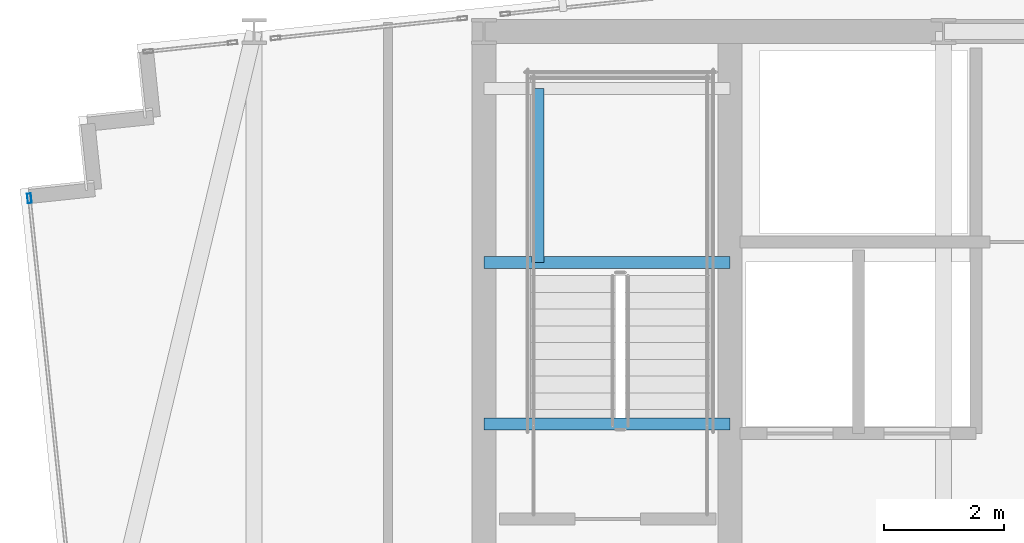
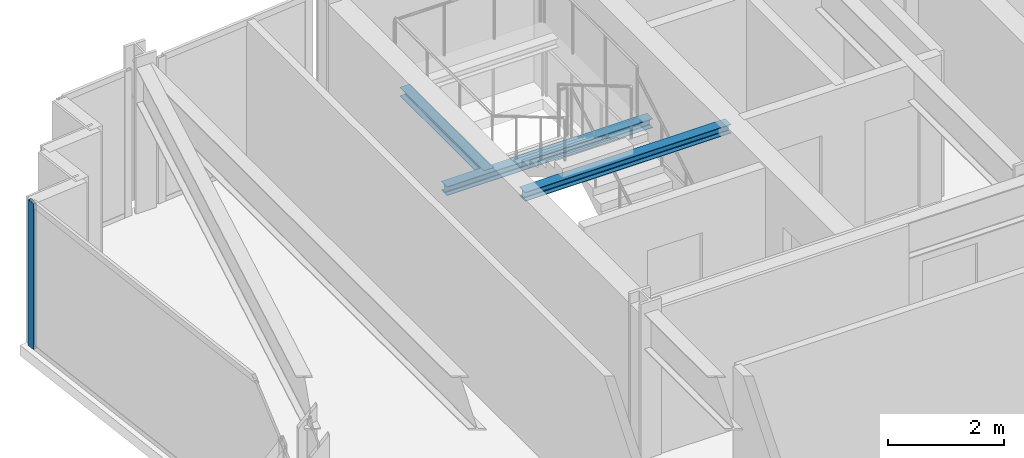
# One storey, part 12 of 33: 3 beams, 1 member, 1 element without a shape of its own.
"""IFC4 building model written with IfcOpenShell, lengths in metres."""

import ifcopenshell
import ifcopenshell.guid

model = None  # the IFC model being written
_history = None  # IfcOwnerHistory: only IFC2X3 demands one
_inside = {}  # id of a spatial element -> (the spatial element, [elements in it])
_under = {}  # id of a project, library or spatial element -> (it, [spatial elements below it])
_declared = {}  # id of a project -> (the project, [libraries it declares])
_typed = {}  # id of a type object -> (the type object, [elements of that type])
_made_of = {}  # id of a material, layer set ... -> (it, [elements and type objects made of it])


def new_model(schema):
    """Start an empty IFC model of exactly this schema.

    Asked for "IFC4X3", IfcOpenShell would pick the latest addendum, in which some entities
    have other attributes; the version numbers below select the first issue.
    IFC2X3 requires an IfcOwnerHistory on every rooted entity: one is made here for all.
    """
    global model, _history
    if schema == "IFC4X3":
        model = ifcopenshell.file(schema_version=(4, 3, 0, 0))
    else:
        model = ifcopenshell.file(schema=schema)
    _inside.clear()
    _under.clear()
    _declared.clear()
    _typed.clear()
    _made_of.clear()
    _history = None
    if model.schema == "IFC2X3":
        org = make("IfcOrganization", Name="unknown")
        user = make(
            "IfcPersonAndOrganization",
            ThePerson=make("IfcPerson", FamilyName="unknown"),
            TheOrganization=org,
        )
        app = make(
            "IfcApplication",
            ApplicationDeveloper=org,
            Version="unknown",
            ApplicationFullName="unknown",
            ApplicationIdentifier="unknown",
        )
        _history = make(
            "IfcOwnerHistory",
            OwningUser=user,
            OwningApplication=app,
            ChangeAction="ADDED",
            CreationDate=0,
        )
    return model


def make(cls, **values):
    """One entity of the class cls with the attributes given. An attribute that is None is left unset."""
    return model.create_entity(
        cls, **{name: value for name, value in values.items() if value is not None}
    )


def rooted(cls, **values):
    """An entity with a GlobalId (a new one), such as an element, a storey or a relation."""
    return make(cls, GlobalId=ifcopenshell.guid.new(), OwnerHistory=_history, **values)


def si_unit(unit_type, name, prefix=None):
    """IfcSIUnit, for example si_unit("LENGTHUNIT", "METRE", prefix="MILLI")."""
    return make("IfcSIUnit", UnitType=unit_type, Prefix=prefix, Name=name)


def assignment(units):
    """IfcUnitAssignment: the units of a project."""
    return None if units is None else make("IfcUnitAssignment", Units=units)


def point(xyz):
    """IfcCartesianPoint."""
    return None if xyz is None else make("IfcCartesianPoint", Coordinates=xyz)


def direction(xyz):
    """IfcDirection."""
    return None if xyz is None else make("IfcDirection", DirectionRatios=xyz)


def frame(location, z_axis=None, x_axis=None):
    """IfcAxis2Placement3D, a coordinate frame: its origin and axes. An axis left out is left unset."""
    return make(
        "IfcAxis2Placement3D",
        Location=point(location),
        Axis=direction(z_axis),
        RefDirection=direction(x_axis),
    )


def frame_2d(location, x_axis=None):
    """IfcAxis2Placement2D, a coordinate frame in the plane: its origin and x axis."""
    return make(
        "IfcAxis2Placement2D", Location=point(location), RefDirection=direction(x_axis)
    )


def origin():
    """The frame at (0, 0, 0) with its axes left unset."""
    return frame((0.0, 0.0, 0.0))


def origin_2d():
    """The frame at (0, 0) in the plane with its x axis left unset."""
    return frame_2d((0.0, 0.0))


def place(relative_to, where):
    """IfcLocalPlacement: puts the frame where relative to a parent placement (None: the world)."""
    return make(
        "IfcLocalPlacement", PlacementRelTo=relative_to, RelativePlacement=where
    )


def context(
    kind, dimensions, precision=None, world=None, true_north=None, identifier=None
):
    """IfcGeometricRepresentationContext, for example the 3D "Model" context."""
    return make(
        "IfcGeometricRepresentationContext",
        ContextIdentifier=identifier,
        ContextType=kind,
        CoordinateSpaceDimension=dimensions,
        Precision=precision,
        WorldCoordinateSystem=world,
        TrueNorth=true_north,
    )


def subcontext(parent, identifier, kind, view, scale=None):
    """IfcGeometricRepresentationSubContext, for example "Body" below "Model"."""
    return make(
        "IfcGeometricRepresentationSubContext",
        ContextIdentifier=identifier,
        ContextType=kind,
        ParentContext=parent,
        TargetScale=scale,
        TargetView=view,
    )


def project(units=None, contexts=None):
    """IfcProject with its units and contexts."""
    return rooted(
        "IfcProject",
        Name="project",
        RepresentationContexts=contexts,
        UnitsInContext=assignment(units),
    )


def spatial(cls, under=None, at=None, **own):
    """A site, building, storey or space (cls), placed at a placement, below another one or the project."""
    s = rooted(cls, ObjectPlacement=at, **own)
    if under is not None:
        _under.setdefault(under.id(), (under, []))[1].append(s)
    return s


def profile(cls, at=None, kind="AREA", **sizes):
    """A parametric profile (cls). Its sizes go by their IFC names, for example OverallWidth=200.0."""
    return make(cls, ProfileType=kind, Position=at, **sizes)


def hollow_rectangle(**sizes):
    """IfcRectangleHollowProfileDef."""
    return profile("IfcRectangleHollowProfileDef", **sizes)


def i_section(**sizes):
    """IfcIShapeProfileDef."""
    return profile("IfcIShapeProfileDef", **sizes)


def extrude(swept, where, along, depth):
    """IfcExtrudedAreaSolid: the profile swept, set in the frame where, extruded along a direction by depth."""
    return make(
        "IfcExtrudedAreaSolid",
        SweptArea=swept,
        Position=where,
        ExtrudedDirection=direction(along),
        Depth=depth,
    )


def shape(context_of_items, identifier, shape_type, items):
    """IfcShapeRepresentation: the items that make up one representation, for example the "Body"."""
    return make(
        "IfcShapeRepresentation",
        ContextOfItems=context_of_items,
        RepresentationIdentifier=identifier,
        RepresentationType=shape_type,
        Items=items,
    )


def material(Name=None, Category=None):
    """IfcMaterial."""
    return make("IfcMaterial", Name=Name, Category=Category)


def material_profile(
    of_material, cross_section, Name=None, Category=None, Priority=None
):
    """IfcMaterialProfile: a cross section and its material."""
    return make(
        "IfcMaterialProfile",
        Name=Name,
        Material=of_material,
        Profile=cross_section,
        Priority=Priority,
        Category=Category,
    )


def profile_set(profiles, Name=None, composite=None):
    """IfcMaterialProfileSet."""
    return make(
        "IfcMaterialProfileSet",
        Name=Name,
        MaterialProfiles=profiles,
        CompositeProfile=composite,
    )


def made_of(thing, what):
    """Note that an element or type object is made of a material, layer set ...; save() writes the relation."""
    if what is not None:
        _made_of.setdefault(what.id(), (what, []))[1].append(thing)
    return thing


def type_object(cls, material=None, **own):
    """A type object (cls), such as IfcWallType, which elements share."""
    return made_of(rooted(cls, **own), material)


def element(
    cls,
    number,
    at=None,
    inside=None,
    cuts=None,
    type_object=None,
    material=None,
    context=None,
    identifier="Body",
    shape_type=None,
    held_by="IfcProductDefinitionShape",
    body=None,
    shapes=None,
    **own,
):
    """One element of the class cls, such as IfcWall. Its Tag is "e" and its number.

    at: its placement. inside: the storey or other place that contains it. cuts: it is an
    opening in that element (IfcRelVoidsElement). A single representation is given by context,
    identifier, shape_type and body (its items); several are given by shapes. held_by: the class
    of the entity that holds the representations. save() writes the other relations.
    """
    e = rooted(cls, Tag="e%d" % number, ObjectPlacement=at, **own)
    if body is not None:
        shapes = [shape(context, identifier, shape_type, body)]
    if shapes is not None:
        e.Representation = make(held_by, Representations=shapes)
    if inside is not None:
        _inside.setdefault(inside.id(), (inside, []))[1].append(e)
    if cuts is not None:
        rooted(
            "IfcRelVoidsElement", RelatingBuildingElement=cuts, RelatedOpeningElement=e
        )
    if type_object is not None:
        _typed.setdefault(type_object.id(), (type_object, []))[1].append(e)
    return made_of(e, material)


def aggregate(whole, parts):
    """IfcRelAggregates: a whole, such as a stair, and the parts it consists of."""
    return rooted("IfcRelAggregates", RelatingObject=whole, RelatedObjects=parts)


def save(model, path):
    """Write the relations noted so far, then the file.

    IfcRelAggregates (storeys below a building ...), IfcRelContainedInSpatialStructure (elements
    in a storey), IfcRelDefinesByType, IfcRelAssociatesMaterial and IfcRelDeclares: one each for
    every whole, place, type object, material and project.
    """
    for whole, parts in _under.values():
        aggregate(whole, parts)
    for where, things in _inside.values():
        rooted(
            "IfcRelContainedInSpatialStructure",
            RelatedElements=things,
            RelatingStructure=where,
        )
    for kind, things in _typed.values():
        rooted("IfcRelDefinesByType", RelatedObjects=things, RelatingType=kind)
    for what, things in _made_of.values():
        rooted("IfcRelAssociatesMaterial", RelatedObjects=things, RelatingMaterial=what)
    for by, libraries in _declared.values():
        rooted("IfcRelDeclares", RelatingContext=by, RelatedDefinitions=libraries)
    model.write(path)


model = new_model("IFC4")

# Units and contexts
model_context = context("Model", 3, precision=1e-05, world=origin(), true_north=direction((0.0, 1.0)))
body_context = subcontext(model_context, "Body", "Model", "MODEL_VIEW")
ifc_project = project(units=[si_unit("LENGTHUNIT", "METRE"), si_unit("AREAUNIT", "SQUARE_METRE"), si_unit("VOLUMEUNIT", "CUBIC_METRE"), si_unit("PLANEANGLEUNIT", "RADIAN"), si_unit("MASSUNIT", "GRAM", prefix="KILO")], contexts=[model_context])

# Site, building, storey
site_placement = place(None, origin())
site = spatial("IfcSite", under=ifc_project, at=site_placement, CompositionType="ELEMENT")
building_placement = place(site_placement, origin())
building = spatial("IfcBuilding", under=site, at=building_placement, Name="Yelkora Congress Tower", CompositionType="ELEMENT")
storey_placement = place(building_placement, frame((0.0, 0.0, 224.300048828125)))
storey = spatial("IfcBuildingStorey", under=building, at=storey_placement, Name="L62", CompositionType="ELEMENT", Elevation=224.300048828125)

# Beams
ifc_material_1 = material(Name="Steel S355J2", Category="steel")
ifc_material_profile_1 = material_profile(ifc_material_1, i_section(OverallWidth=0.199951171875, OverallDepth=0.18994140625, WebThickness=0.006591796875, FlangeThickness=0.010009765625, FilletRadius=0.01806640625, at=origin_2d()), Name="HEA 200")
ifc_profile_set_1 = profile_set([ifc_material_profile_1], Name="Steel S355J2")
beam_type = type_object("IfcBeamType", Name="BM-LAND-HEA200", PredefinedType="BEAM", material=ifc_profile_set_1)
beam_1_placement = place(storey_placement, frame((23.0400390625, 42.340087890625, 1.33447265625), z_axis=(1.0, 0.0, 0.0), x_axis=(0.0, 1.0, 0.0)))
element("IfcBeam", 1, at=beam_1_placement, inside=storey, type_object=beam_type, Name="ST-01 L62 Landing Header Beam 1S", PredefinedType="BEAM", context=body_context, shape_type="SweptSolid", body=[
    extrude(i_section(OverallWidth=0.199951171875, OverallDepth=0.18994140625, WebThickness=0.006591796875, FlangeThickness=0.010009765625, FilletRadius=0.01806640625, at=origin_2d()), origin(), (0.0, 0.0, 1.0), 4.10986328125),
])
beam_2_placement = place(storey_placement, frame((23.93994140625, 42.340087890625, 1.33447265625), z_axis=(0.0, 1.0, 0.0), x_axis=(-1.0, 0.0, 0.0)))
element("IfcBeam", 2, at=beam_2_placement, inside=storey, type_object=beam_type, Name="ST-01 L62 Landing Trimmer Beam 1M", PredefinedType="BEAM", context=body_context, shape_type="SweptSolid", body=[
    extrude(i_section(OverallWidth=0.199951171875, OverallDepth=0.18994140625, WebThickness=0.006591796875, FlangeThickness=0.010009765625, FilletRadius=0.01806640625, at=origin_2d()), origin(), (0.0, 0.0, 1.0), 2.909912109375),
])
beam_3_placement = place(storey_placement, frame((23.0400390625, 39.639892578125, 2.853759765625), z_axis=(1.0, 0.0, 0.0), x_axis=(0.0, 1.0, 0.0)))
element("IfcBeam", 3, at=beam_3_placement, inside=storey, type_object=beam_type, Name="ST-01 L62 Floor Arrival Stringer Header Beam", PredefinedType="BEAM", context=body_context, shape_type="SweptSolid", body=[
    extrude(i_section(OverallWidth=0.199951171875, OverallDepth=0.18994140625, WebThickness=0.006591796875, FlangeThickness=0.010009765625, FilletRadius=0.01806640625, at=origin_2d()), origin(), (0.0, 0.0, 1.0), 4.10986328125),
])

# Curtain wall, member
ifc_material_2 = material(Name="Anodised aluminium and insulated glass", Category="aluminium")
curtain_wall_type = type_object("IfcCurtainWallType", Name="CW-SYS-B4", PredefinedType="NOTDEFINED", material=ifc_material_2)
curtain_wall_placement = place(storey_placement, origin())
curtain_wall = element("IfcCurtainWall", 4, at=curtain_wall_placement, inside=storey, type_object=curtain_wall_type, Name="L62 Unitised Curtain Wall 5", PredefinedType="NOTDEFINED")
ifc_material_3 = material(Name="Anodised aluminium 6063-T6", Category="aluminium")
ifc_material_profile_2 = material_profile(ifc_material_3, hollow_rectangle(XDim=0.06494140625, YDim=0.159912109375, WallThickness=0.00390625, at=origin_2d()), Name="ALU 65x160x4")
ifc_profile_set_2 = profile_set([ifc_material_profile_2], Name="Anodised aluminium 6063-T6")
member_type = type_object("IfcMemberType", Name="MEM-ML-B4", PredefinedType="MULLION", material=ifc_profile_set_2)
member_placement = place(storey_placement, frame((15.444580078125, 43.412353515625, 0.0), z_axis=(0.0, 0.0, 1.0), x_axis=(-0.994522145958, -0.104526079034, 0.0)))
member = element("IfcMember", 5, at=member_placement, type_object=member_type, Name="CW-B4 mullion 5", PredefinedType="MULLION", context=body_context, shape_type="SweptSolid", body=[
    extrude(hollow_rectangle(XDim=0.06494140625, YDim=0.159912109375, WallThickness=0.00390625, at=origin_2d()), origin(), (0.0, 0.0, 1.0), 3.079833984375),
])
aggregate(curtain_wall, [member])

save(model, "model.ifc")
